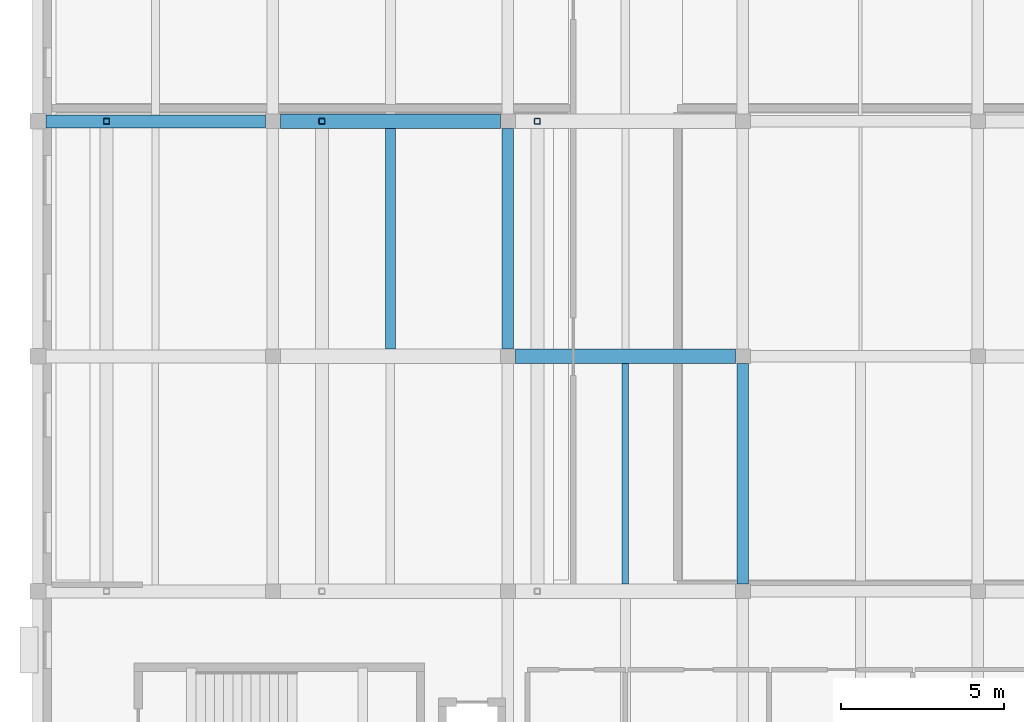
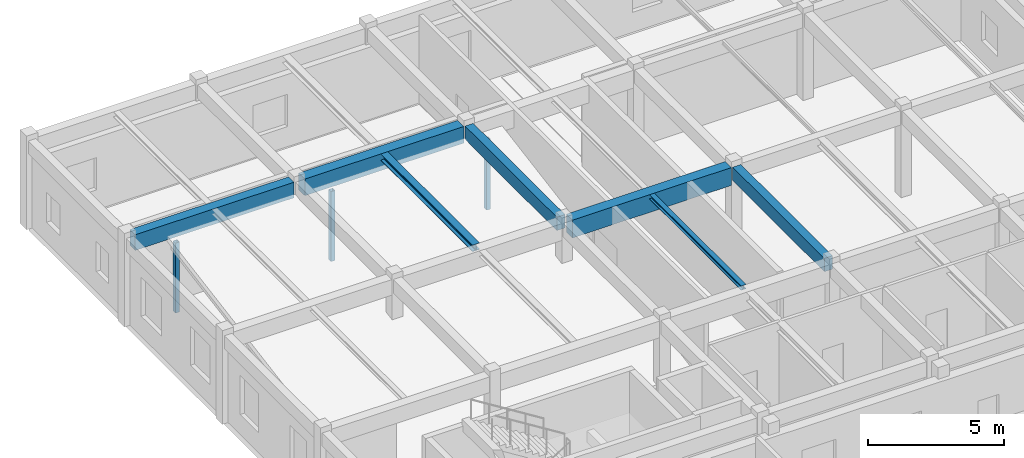
# One storey, part 5 of 49: 7 beams, 3 members.
"""IFC4 building model written with IfcOpenShell, lengths in metres."""

from ifc_helpers import new_model, si_unit, direction, frame, origin, origin_2d, place, context, subcontext, project, spatial, rectangle, hollow_rectangle, i_section, extrude, material, material_profile, profile_set, type_object, element, save


model = new_model("IFC4")

# Units and contexts
model_context = context("Model", 3, precision=1e-05, world=origin(), true_north=direction((0.0, 1.0)))
body_context = subcontext(model_context, "Body", "Model", "MODEL_VIEW")
ifc_project = project(units=[si_unit("LENGTHUNIT", "METRE"), si_unit("AREAUNIT", "SQUARE_METRE"), si_unit("VOLUMEUNIT", "CUBIC_METRE"), si_unit("PLANEANGLEUNIT", "RADIAN"), si_unit("MASSUNIT", "GRAM", prefix="KILO")], contexts=[model_context])

# Site, building, storey
site_placement = place(None, origin())
site = spatial("IfcSite", under=ifc_project, at=site_placement, CompositionType="ELEMENT")
building_placement = place(site_placement, origin())
building = spatial("IfcBuilding", under=site, at=building_placement, Name="Bramveld Media Centre", CompositionType="ELEMENT")
storey_placement = place(building_placement, frame((0.0, 0.0, 9.60009765625)))
storey = spatial("IfcBuildingStorey", under=building, at=storey_placement, Name="L02", CompositionType="ELEMENT", Elevation=9.60009765625)

# Beams
ifc_material_1 = material(Name="Concrete C40/50", Category="concrete")
ifc_material_profile_1 = material_profile(ifc_material_1, rectangle(XDim=0.35009765625, YDim=0.60009765625, at=origin_2d()), Name="RC 350x600")
ifc_profile_set_1 = profile_set([ifc_material_profile_1], Name="Concrete C40/50")
beam_type_1 = type_object("IfcBeamType", Name="BM-INT-RC-350x600", PredefinedType="BEAM", material=ifc_profile_set_1)
for number, where, z_axis, x_axis, name in (
    (1, (14.39990234375, 53.824951171875, 3.64990234375), (0.0, 1.0, 0.0), (-1.0, 0.0, 0.0), "V3 L02 girder Y-357"),
    (2, (21.60009765625, 46.625, 3.64990234375), (0.0, 1.0, 0.0), (-1.0, 0.0, 0.0), "V3 L02 girder Y-360"),
):
    element("IfcBeam", number, at=place(storey_placement, frame(where, z_axis=z_axis, x_axis=x_axis)), inside=storey, type_object=beam_type_1, Name=name, PredefinedType="BEAM", context=body_context, shape_type="SweptSolid", body=[
        extrude(rectangle(XDim=0.35009765625, YDim=0.60009765625, at=origin_2d()), origin(), (0.0, 0.0, 1.0), 6.75),
    ])
ifc_material_2 = material(Name="Concrete C40/50", Category="concrete")
ifc_material_profile_2 = material_profile(ifc_material_2, rectangle(XDim=0.39990234375, YDim=0.699951171875, at=origin_2d()), Name="RC 400x700")
ifc_profile_set_2 = profile_set([ifc_material_profile_2], Name="Concrete C40/50")
beam_type_2 = type_object("IfcBeamType", Name="BM-INT-RC-400x700", PredefinedType="BEAM", material=ifc_profile_set_2)
beam_1_placement = place(storey_placement, frame((0.239990234375, 60.800048828125, 3.599853515625), z_axis=(1.0, 0.0, 0.0), x_axis=(0.0, 1.0, 0.0)))
element("IfcBeam", 3, at=beam_1_placement, inside=storey, type_object=beam_type_2, Name="V3 L02 girder X-338", PredefinedType="BEAM", context=body_context, shape_type="SweptSolid", body=[
    extrude(rectangle(XDim=0.39990234375, YDim=0.699951171875, at=origin_2d()), origin(), (0.0, 0.0, 1.0), 6.735107421875),
])
ifc_material_3 = material(Name="Concrete C40/50", Category="concrete")
ifc_material_profile_3 = material_profile(ifc_material_3, rectangle(XDim=0.449951171875, YDim=0.75, at=origin_2d()), Name="RC 450x750")
ifc_profile_set_3 = profile_set([ifc_material_profile_3], Name="Concrete C40/50")
beam_type_3 = type_object("IfcBeamType", Name="BM-INT-RC-450x750", PredefinedType="BEAM", material=ifc_profile_set_3)
beam_2_placement = place(storey_placement, frame((7.425048828125, 60.800048828125, 3.574951171875), z_axis=(1.0, 0.0, 0.0), x_axis=(0.0, 1.0, 0.0)))
element("IfcBeam", 4, at=beam_2_placement, inside=storey, type_object=beam_type_3, Name="V3 L02 girder X-339", PredefinedType="BEAM", context=body_context, shape_type="SweptSolid", body=[
    extrude(rectangle(XDim=0.449951171875, YDim=0.75, at=origin_2d()), origin(), (0.0, 0.0, 1.0), 6.75),
])
ifc_material_4 = material(Name="Concrete C40/50", Category="concrete")
ifc_material_profile_4 = material_profile(ifc_material_4, rectangle(XDim=0.449951171875, YDim=0.800048828125, at=origin_2d()), Name="RC 450x800")
ifc_profile_set_4 = profile_set([ifc_material_profile_4], Name="Concrete C40/50")
beam_type_4 = type_object("IfcBeamType", Name="BM-INT-RC-450x800", PredefinedType="BEAM", material=ifc_profile_set_4)
beam_3_placement = place(storey_placement, frame((14.625, 53.60009765625, 3.5498046875), z_axis=(1.0, 0.0, 0.0), x_axis=(0.0, 1.0, 0.0)))
element("IfcBeam", 5, at=beam_3_placement, inside=storey, type_object=beam_type_4, Name="V3 L02 girder X-335", PredefinedType="BEAM", context=body_context, shape_type="SweptSolid", body=[
    extrude(rectangle(XDim=0.449951171875, YDim=0.800048828125, at=origin_2d()), origin(), (0.0, 0.0, 1.0), 6.75),
])

# Members
ifc_material_5 = material(Name="Steel S355J2H", Category="steel")
ifc_material_profile_5 = material_profile(ifc_material_5, hollow_rectangle(XDim=0.179931640625, YDim=0.179931640625, WallThickness=0.010009765625, InnerFilletRadius=0.010009765625, OuterFilletRadius=0.02001953125, at=origin_2d()), Name="SHS 180x180x10")
ifc_profile_set_5 = profile_set([ifc_material_profile_5], Name="Steel S355J2H")
member_type = type_object("IfcMemberType", Name="MEM-POST-SHS180", PredefinedType="POST", material=ifc_profile_set_5)
for number, where, z_axis, x_axis, name in (
    (6, (2.10009765625, 60.800048828125, -0.260009765625), (0.0, 0.0, 1.0), (1.0, 0.0, 0.0), "Screen 5 Raked Seating Slab raker frame post HI-1"),
    (7, (8.699951171875, 60.800048828125, -0.260009765625), (0.0, 0.0, 1.0), (1.0, 0.0, 0.0), "Screen 5 Raked Seating Slab raker frame post HI-2"),
    (8, (15.300048828125, 60.800048828125, -0.260009765625), (0.0, 0.0, 1.0), (1.0, 0.0, 0.0), "Screen 5 Raked Seating Slab raker frame post HI-3"),
):
    element("IfcMember", number, at=place(storey_placement, frame(where, z_axis=z_axis, x_axis=x_axis)), inside=storey, type_object=member_type, Name=name, PredefinedType="POST", context=body_context, shape_type="SweptSolid", body=[
        extrude(hollow_rectangle(XDim=0.179931640625, YDim=0.179931640625, WallThickness=0.010009765625, InnerFilletRadius=0.010009765625, OuterFilletRadius=0.02001953125, at=origin_2d()), origin(), (0.0, 0.0, 1.0), 3.14501953125),
    ])

# Beams
ifc_material_6 = material(Name="Steel S355J2", Category="steel")
ifc_material_profile_6 = material_profile(ifc_material_6, i_section(OverallWidth=0.300048828125, OverallDepth=0.2900390625, WebThickness=0.008544921875, FlangeThickness=0.013916015625, FilletRadius=0.027099609375, at=origin_2d()), Name="HEA 300")
ifc_profile_set_6 = profile_set([ifc_material_profile_6], Name="Steel S355J2")
beam_type_5 = type_object("IfcBeamType", Name="SBM-INT-HEA-300", PredefinedType="BEAM", material=ifc_profile_set_6)
beam_4_placement = place(storey_placement, frame((10.800048828125, 53.824951171875, 3.804931640625), z_axis=(0.0, 1.0, 0.0), x_axis=(-1.0, 0.0, 0.0)))
element("IfcBeam", 9, at=beam_4_placement, inside=storey, type_object=beam_type_5, Name="V3 L02 secondary floor joist 375", PredefinedType="BEAM", context=body_context, shape_type="SweptSolid", body=[
    extrude(i_section(OverallWidth=0.300048828125, OverallDepth=0.2900390625, WebThickness=0.008544921875, FlangeThickness=0.013916015625, FilletRadius=0.027099609375, at=origin_2d()), origin(), (0.0, 0.0, 1.0), 6.75),
])
ifc_material_7 = material(Name="Steel S355J2", Category="steel")
ifc_material_profile_7 = material_profile(ifc_material_7, i_section(OverallWidth=0.199951171875, OverallDepth=0.199951171875, WebThickness=0.009033203125, FlangeThickness=0.014892578125, FilletRadius=0.01806640625, at=origin_2d()), Name="HEB 200")
ifc_profile_set_7 = profile_set([ifc_material_profile_7], Name="Steel S355J2")
beam_type_6 = type_object("IfcBeamType", Name="SBM-INT-HEB-200", PredefinedType="BEAM", material=ifc_profile_set_7)
beam_5_placement = place(storey_placement, frame((18.0, 46.625, 3.849853515625), z_axis=(0.0, 1.0, 0.0), x_axis=(-1.0, 0.0, 0.0)))
element("IfcBeam", 10, at=beam_5_placement, inside=storey, type_object=beam_type_6, Name="V3 L02 secondary floor joist 378", PredefinedType="BEAM", context=body_context, shape_type="SweptSolid", body=[
    extrude(i_section(OverallWidth=0.199951171875, OverallDepth=0.199951171875, WebThickness=0.009033203125, FlangeThickness=0.014892578125, FilletRadius=0.01806640625, at=origin_2d()), origin(), (0.0, 0.0, 1.0), 6.75),
])

save(model, "model.ifc")
